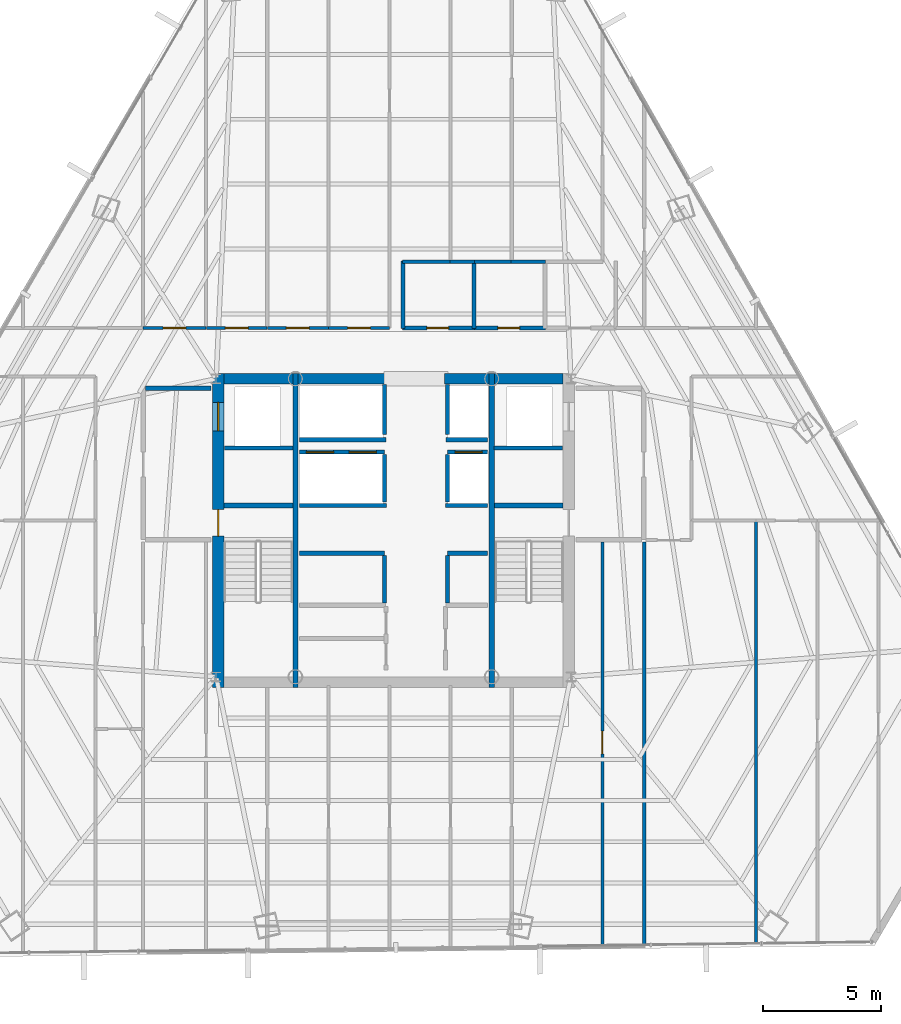
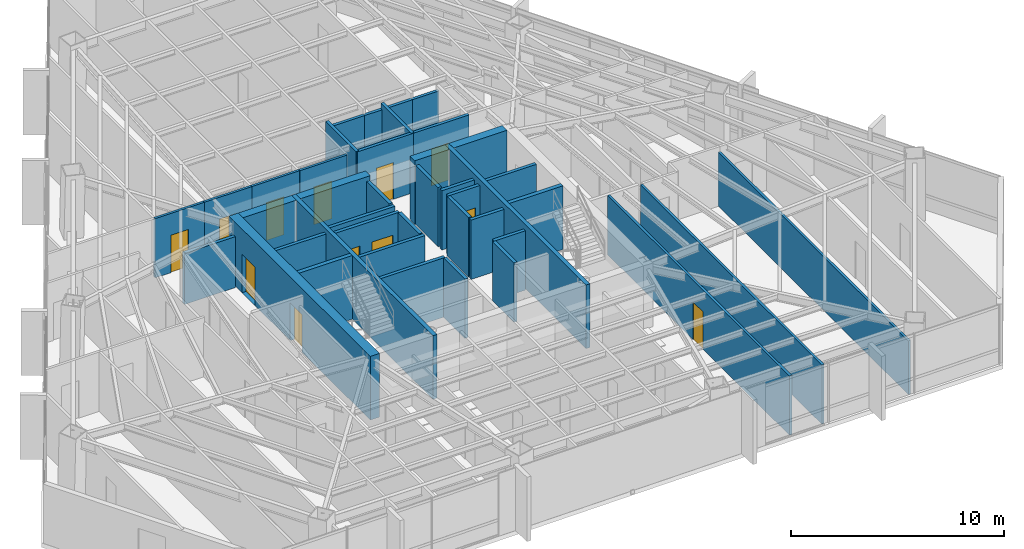
# One storey, part 37 of 42: 41 walls, 12 doors, 12 openings.
"""IFC4 building model written with IfcOpenShell, lengths in metres."""

from ifc_helpers import new_model, si_unit, direction, frame, frame_2d, origin, place, context, subcontext, project, spatial, rectangle, extrude, material, layer, layer_set, type_object, element, fill, save


model = new_model("IFC4")

# Units and contexts
model_context = context("Model", 3, precision=1e-05, world=origin(), true_north=direction((0.0, 1.0)))
body_context = subcontext(model_context, "Body", "Model", "MODEL_VIEW")
ifc_project = project(units=[si_unit("LENGTHUNIT", "METRE"), si_unit("AREAUNIT", "SQUARE_METRE"), si_unit("VOLUMEUNIT", "CUBIC_METRE"), si_unit("PLANEANGLEUNIT", "RADIAN"), si_unit("MASSUNIT", "GRAM", prefix="KILO")], contexts=[model_context])

# Site, building, storey
site_placement = place(None, origin())
site = spatial("IfcSite", under=ifc_project, at=site_placement, CompositionType="ELEMENT")
building_placement = place(site_placement, origin())
building = spatial("IfcBuilding", under=site, at=building_placement, Name="Caelisora Broadcast Tower", CompositionType="ELEMENT")
storey_placement = place(building_placement, frame((0.0, 0.0, 131.800048828125)))
storey = spatial("IfcBuildingStorey", under=building, at=storey_placement, Name="L34", CompositionType="ELEMENT", Elevation=131.800048828125)

# Wall, openings, doors
ifc_material_1 = material(Name="Concrete 50 MPa (AS 3600 S50)", Category="concrete")
ifc_layer_1 = layer(ifc_material_1, 0.5, Name="Concrete 50 MPa (AS 3600 S50)")
ifc_layer_set_1 = layer_set([ifc_layer_1], Name="Concrete 50 MPa (AS 3600 S50)")
wall_type_1 = type_object("IfcWallType", Name="CW2", PredefinedType="SHEAR", material=ifc_layer_set_1)
wall_1_placement = place(storey_placement, frame((30.590087890625, 16.949951171875, 0.0), z_axis=(0.0, 0.0, 1.0), x_axis=(0.0, 1.0, 0.0)))
wall_1 = element("IfcWall", 1, at=wall_1_placement, inside=storey, type_object=wall_type_1, Name="L34 core shear wall CW2", PredefinedType="SHEAR", context=body_context, shape_type="SweptSolid", body=[
    extrude(rectangle(XDim=13.275146484375, YDim=0.5, at=frame_2d((6.6376953125, 0.0))), origin(), (0.0, 0.0, 1.0), 3.64990234375),
])
opening_1_placement = place(wall_1_placement, frame((6.39990234375, 0.0, 0.0)))
opening_1 = element("IfcOpeningElement", 2, at=opening_1_placement, cuts=wall_1, Name="Opening FD04", PredefinedType="OPENING", context=body_context, shape_type="SweptSolid", body=[
    extrude(rectangle(XDim=1.1201171875, YDim=2.14990234375, at=frame_2d((0.56005859375, 1.074951171875))), frame((0.0, 0.261962890625, 0.0), z_axis=(0.0, -1.0, 0.0), x_axis=(1.0, 0.0, 0.0)), (0.0, 0.0, 1.0), 0.52392578125),
])
opening_2_placement = place(wall_1_placement, frame((10.85009765625, 0.0, 0.0)))
opening_2 = element("IfcOpeningElement", 3, at=opening_2_placement, cuts=wall_1, Name="Opening LD04", PredefinedType="OPENING", context=body_context, shape_type="SweptSolid", body=[
    extrude(rectangle(XDim=1.199951171875, YDim=2.199951171875, at=frame_2d((0.60009765625, 1.10009765625))), frame((0.0, 0.261962890625, 0.0), z_axis=(0.0, -1.0, 0.0), x_axis=(1.0, 0.0, 0.0)), (0.0, 0.0, 1.0), 0.52392578125),
])
ifc_material_2 = material(Name="Pressurised Fire-Isolated Stair Door", Category="steel")
door_type_1 = type_object("IfcDoorType", Name="FD04", OperationType="NOTDEFINED", PredefinedType="DOOR", material=ifc_material_2)
door_1_placement = place(opening_1_placement, origin())
door_1 = element("IfcDoor", 4, at=door_1_placement, inside=storey, type_object=door_type_1, Name="L34 door FD04 (L34-DR-ST1)", OperationType="SINGLE_SWING_LEFT", OverallHeight=2.14990234375, OverallWidth=1.1201171875, PredefinedType="DOOR", context=body_context, shape_type="SweptSolid", body=[
    extrude(rectangle(XDim=1.1201171875, YDim=2.14990234375, at=frame_2d((0.56005859375, 1.074951171875))), frame((0.0, 0.02490234375, 0.0), z_axis=(0.0, -1.0, 0.0), x_axis=(1.0, 0.0, 0.0)), (0.0, 0.0, 1.0), 0.050048828125),
])
fill(opening_1, door_1)
ifc_material_3 = material(Name="Emergency Firefighting Lift Sliding Landing Door", Category="steel")
door_type_2 = type_object("IfcDoorType", Name="LD04", OperationType="NOTDEFINED", PredefinedType="DOOR", material=ifc_material_3)
door_2_placement = place(opening_2_placement, origin())
door_2 = element("IfcDoor", 5, at=door_2_placement, inside=storey, type_object=door_type_2, Name="L34 door LD04 (L34-LD-FFL1)", OperationType="SLIDING_TO_LEFT", OverallHeight=2.199951171875, OverallWidth=1.199951171875, PredefinedType="DOOR", context=body_context, shape_type="SweptSolid", body=[
    extrude(rectangle(XDim=1.199951171875, YDim=2.199951171875, at=frame_2d((0.60009765625, 1.10009765625))), frame((0.0, 0.02490234375, 0.0), z_axis=(0.0, -1.0, 0.0), x_axis=(1.0, 0.0, 0.0)), (0.0, 0.0, 1.0), 0.050048828125),
])
fill(opening_2, door_2)

# Walls
ifc_layer_2 = layer(ifc_material_1, 0.449951171875, Name="Concrete 50 MPa (AS 3600 S50)")
ifc_layer_set_2 = layer_set([ifc_layer_2], Name="Concrete 50 MPa (AS 3600 S50)")
wall_type_2 = type_object("IfcWallType", Name="CW5", PredefinedType="SHEAR", material=ifc_layer_set_2)
wall_2_placement = place(storey_placement, frame((30.840087890625, 30.0, 0.0), z_axis=(0.0, 0.0, 1.0), x_axis=(1.0, 0.0, 0.0)))
element("IfcWall", 6, at=wall_2_placement, inside=storey, type_object=wall_type_2, Name="L34 core shear wall CW5", PredefinedType="SHEAR", context=body_context, shape_type="SweptSolid", body=[
    extrude(rectangle(XDim=2.89990234375, YDim=0.449951171875, at=frame_2d((1.449951171875, 0.0))), origin(), (0.0, 0.0, 1.0), 3.64990234375),
])
wall_3_placement = place(storey_placement, frame((33.9599609375, 30.0, 0.0), z_axis=(0.0, 0.0, 1.0), x_axis=(1.0, 0.0, 0.0)))
element("IfcWall", 7, at=wall_3_placement, inside=storey, type_object=wall_type_2, Name="L34 core shear wall CW5", PredefinedType="SHEAR", context=body_context, shape_type="SweptSolid", body=[
    extrude(rectangle(XDim=3.780029296875, YDim=0.449951171875, at=frame_2d((1.89013671875, 0.0))), origin(), (0.0, 0.0, 1.0), 3.64990234375),
])
wall_4_placement = place(storey_placement, frame((40.159912109375, 30.0, 0.0), z_axis=(0.0, 0.0, 1.0), x_axis=(1.0, 0.0, 0.0)))
element("IfcWall", 8, at=wall_4_placement, inside=storey, type_object=wall_type_2, Name="L34 core shear wall CW5", PredefinedType="SHEAR", context=body_context, shape_type="SweptSolid", body=[
    extrude(rectangle(XDim=1.880126953125, YDim=0.449951171875, at=frame_2d((0.93994140625, 0.0))), origin(), (0.0, 0.0, 1.0), 3.64990234375),
])
wall_5_placement = place(storey_placement, frame((42.260009765625, 30.0, 0.0), z_axis=(0.0, 0.0, 1.0), x_axis=(1.0, 0.0, 0.0)))
element("IfcWall", 9, at=wall_5_placement, inside=storey, type_object=wall_type_2, Name="L34 core shear wall CW5", PredefinedType="SHEAR", context=body_context, shape_type="SweptSolid", body=[
    extrude(rectangle(XDim=2.89990234375, YDim=0.449951171875, at=frame_2d((1.449951171875, 0.0))), origin(), (0.0, 0.0, 1.0), 3.64990234375),
])
ifc_layer_3 = layer(ifc_material_1, 0.219970703125, Name="Concrete 50 MPa (AS 3600 S50)")
ifc_layer_set_3 = layer_set([ifc_layer_3], Name="Concrete 50 MPa (AS 3600 S50)")
wall_type_3 = type_object("IfcWallType", Name="CW7", PredefinedType="SHEAR", material=ifc_layer_set_3)
for number, where, z_axis, x_axis, name in (
    (10, (33.85009765625, 16.949951171875, 0.0), (0.0, 0.0, 1.0), (0.0, 1.0, 0.0), "L34 core shear wall CW7"),
    (11, (42.14990234375, 16.949951171875, 0.0), (0.0, 0.0, 1.0), (0.0, 1.0, 0.0), "L34 core shear wall CW7"),
):
    element("IfcWall", number, at=place(storey_placement, frame(where, z_axis=z_axis, x_axis=x_axis)), inside=storey, type_object=wall_type_3, Name=name, PredefinedType="SHEAR", context=body_context, shape_type="SweptSolid", body=[
        extrude(rectangle(XDim=13.275146484375, YDim=0.219970703125, at=frame_2d((6.6376953125, 0.0))), origin(), (0.0, 0.0, 1.0), 3.64990234375),
    ])
for number, where, z_axis, x_axis, name in (
    (12, (30.840087890625, 24.639892578125, 0.0), (0.0, 0.0, 1.0), (1.0, 0.0, 0.0), "L34 core shear wall CW7"),
    (13, (42.260009765625, 24.639892578125, 0.0), (0.0, 0.0, 1.0), (1.0, 0.0, 0.0), "L34 core shear wall CW7"),
):
    element("IfcWall", number, at=place(storey_placement, frame(where, z_axis=z_axis, x_axis=x_axis)), inside=storey, type_object=wall_type_3, Name=name, PredefinedType="SHEAR", context=body_context, shape_type="SweptSolid", body=[
        extrude(rectangle(XDim=2.89990234375, YDim=0.219970703125, at=frame_2d((1.449951171875, 0.0))), origin(), (0.0, 0.0, 1.0), 3.64990234375),
    ])
ifc_material_4 = material(Name="Fire-Rated Gypsum Shaft and Compartment Wall", Category="gypsum")
ifc_layer_4 = layer(ifc_material_4, 0.179931640625, Name="Fire-Rated Gypsum Shaft and Compartment Wall")
ifc_layer_set_4 = layer_set([ifc_layer_4], Name="Fire-Rated Gypsum Shaft and Compartment Wall")
wall_type_4 = type_object("IfcWallType", Name="PW2", PredefinedType="PARTITIONING", material=ifc_layer_set_4)
wall_6_placement = place(storey_placement, frame((34.02001953125, 22.6201171875, 0.0), z_axis=(0.0, 0.0, 1.0), x_axis=(1.0, 0.0, 0.0)))
element("IfcWall", 14, at=wall_6_placement, inside=storey, type_object=wall_type_4, Name="L34 fire compartment wall PW2", PredefinedType="PARTITIONING", context=body_context, shape_type="SweptSolid", body=[
    extrude(rectangle(XDim=3.60009765625, YDim=0.179931640625, at=frame_2d((1.800048828125, 0.0))), origin(), (0.0, 0.0, 1.0), 3.39990234375),
])
wall_7_placement = place(storey_placement, frame((40.280029296875, 22.6201171875, 0.0), z_axis=(0.0, 0.0, 1.0), x_axis=(1.0, 0.0, 0.0)))
element("IfcWall", 15, at=wall_7_placement, inside=storey, type_object=wall_type_4, Name="L34 fire compartment wall PW2", PredefinedType="PARTITIONING", context=body_context, shape_type="SweptSolid", body=[
    extrude(rectangle(XDim=1.699951171875, YDim=0.179931640625, at=frame_2d((0.85009765625, 0.0))), origin(), (0.0, 0.0, 1.0), 3.39990234375),
])
for number, where, z_axis, x_axis, name in (
    (16, (37.6201171875, 20.52001953125, 0.0), (0.0, 0.0, 1.0), (0.0, 1.0, 0.0), "L34 fire compartment wall PW2"),
    (17, (40.280029296875, 20.52001953125, 0.0), (0.0, 0.0, 1.0), (0.0, 1.0, 0.0), "L34 fire compartment wall PW2"),
):
    element("IfcWall", number, at=place(storey_placement, frame(where, z_axis=z_axis, x_axis=x_axis)), inside=storey, type_object=wall_type_4, Name=name, PredefinedType="PARTITIONING", context=body_context, shape_type="SweptSolid", body=[
        extrude(rectangle(XDim=2.0, YDim=0.179931640625, at=frame_2d((1.0, 0.0))), origin(), (0.0, 0.0, 1.0), 3.39990234375),
    ])

# Wall, openings, doors
wall_8_placement = place(storey_placement, frame((34.02001953125, 26.89990234375, 0.0), z_axis=(0.0, 0.0, 1.0), x_axis=(1.0, 0.0, 0.0)))
wall_8 = element("IfcWall", 18, at=wall_8_placement, inside=storey, type_object=wall_type_4, Name="L34 fire compartment wall PW2", PredefinedType="PARTITIONING", context=body_context, shape_type="SweptSolid", body=[
    extrude(rectangle(XDim=3.60009765625, YDim=0.179931640625, at=frame_2d((1.800048828125, 0.0))), origin(), (0.0, 0.0, 1.0), 3.39990234375),
])
opening_3_placement = place(wall_8_placement, frame((0.300048828125, 0.0, 0.0)))
opening_3 = element("IfcOpeningElement", 19, at=opening_3_placement, cuts=wall_8, Name="Opening LD02", PredefinedType="OPENING", context=body_context, shape_type="SweptSolid", body=[
    extrude(rectangle(XDim=1.14990234375, YDim=2.199951171875, at=frame_2d((0.574951171875, 1.10009765625))), frame((0.0, 0.10205078125, 0.0), z_axis=(0.0, -1.0, 0.0), x_axis=(1.0, 0.0, 0.0)), (0.0, 0.0, 1.0), 0.203857421875),
])
opening_4_placement = place(wall_8_placement, frame((2.10009765625, 0.0, 0.0)))
opening_4 = element("IfcOpeningElement", 20, at=opening_4_placement, cuts=wall_8, Name="Opening LD02", PredefinedType="OPENING", context=body_context, shape_type="SweptSolid", body=[
    extrude(rectangle(XDim=1.14990234375, YDim=2.199951171875, at=frame_2d((0.574951171875, 1.10009765625))), frame((0.0, 0.10205078125, 0.0), z_axis=(0.0, -1.0, 0.0), x_axis=(1.0, 0.0, 0.0)), (0.0, 0.0, 1.0), 0.203857421875),
])
ifc_material_5 = material(Name="High-Speed Express Lift Sliding Landing Door", Category="steel")
door_type_3 = type_object("IfcDoorType", Name="LD02", OperationType="NOTDEFINED", PredefinedType="DOOR", material=ifc_material_5)
door_3_placement = place(opening_3_placement, origin())
door_3 = element("IfcDoor", 21, at=door_3_placement, inside=storey, type_object=door_type_3, Name="L34 door LD02 (L34-LD-PLM1)", OperationType="SLIDING_TO_LEFT", OverallHeight=2.199951171875, OverallWidth=1.14990234375, PredefinedType="DOOR", context=body_context, shape_type="SweptSolid", body=[
    extrude(rectangle(XDim=1.14990234375, YDim=2.199951171875, at=frame_2d((0.574951171875, 1.10009765625))), frame((0.0, 0.02490234375, 0.0), z_axis=(0.0, -1.0, 0.0), x_axis=(1.0, 0.0, 0.0)), (0.0, 0.0, 1.0), 0.050048828125),
])
fill(opening_3, door_3)
door_4_placement = place(opening_4_placement, origin())
door_4 = element("IfcDoor", 22, at=door_4_placement, inside=storey, type_object=door_type_3, Name="L34 door LD02 (L34-LD-PLM2)", OperationType="SLIDING_TO_RIGHT", OverallHeight=2.199951171875, OverallWidth=1.14990234375, PredefinedType="DOOR", context=body_context, shape_type="SweptSolid", body=[
    extrude(rectangle(XDim=1.14990234375, YDim=2.199951171875, at=frame_2d((0.574951171875, 1.10009765625))), frame((0.0, 0.02490234375, 0.0), z_axis=(0.0, -1.0, 0.0), x_axis=(1.0, 0.0, 0.0)), (0.0, 0.0, 1.0), 0.050048828125),
])
fill(opening_4, door_4)

# Wall, opening, door
wall_9_placement = place(storey_placement, frame((40.280029296875, 26.89990234375, 0.0), z_axis=(0.0, 0.0, 1.0), x_axis=(1.0, 0.0, 0.0)))
wall_9 = element("IfcWall", 23, at=wall_9_placement, inside=storey, type_object=wall_type_4, Name="L34 fire compartment wall PW2", PredefinedType="PARTITIONING", context=body_context, shape_type="SweptSolid", body=[
    extrude(rectangle(XDim=1.699951171875, YDim=0.179931640625, at=frame_2d((0.85009765625, 0.0))), origin(), (0.0, 0.0, 1.0), 3.39990234375),
])
opening_5_placement = place(wall_9_placement, frame((0.320068359375, 0.0, 0.0)))
opening_5 = element("IfcOpeningElement", 24, at=opening_5_placement, cuts=wall_9, Name="Opening LD02", PredefinedType="OPENING", context=body_context, shape_type="SweptSolid", body=[
    extrude(rectangle(XDim=1.14990234375, YDim=2.199951171875, at=frame_2d((0.574951171875, 1.10009765625))), frame((0.0, 0.10205078125, 0.0), z_axis=(0.0, -1.0, 0.0), x_axis=(1.0, 0.0, 0.0)), (0.0, 0.0, 1.0), 0.203857421875),
])
door_5_placement = place(opening_5_placement, origin())
door_5 = element("IfcDoor", 25, at=door_5_placement, inside=storey, type_object=door_type_3, Name="L34 door LD02 (L34-LD-PLM3)", OperationType="SLIDING_TO_LEFT", OverallHeight=2.199951171875, OverallWidth=1.14990234375, PredefinedType="DOOR", context=body_context, shape_type="SweptSolid", body=[
    extrude(rectangle(XDim=1.14990234375, YDim=2.199951171875, at=frame_2d((0.574951171875, 1.10009765625))), frame((0.0, 0.02490234375, 0.0), z_axis=(0.0, -1.0, 0.0), x_axis=(1.0, 0.0, 0.0)), (0.0, 0.0, 1.0), 0.050048828125),
])
fill(opening_5, door_5)

# Walls
for number, where, z_axis, x_axis, name in (
    (26, (37.6201171875, 24.800048828125, 0.0), (0.0, 0.0, 1.0), (0.0, 1.0, 0.0), "L34 fire compartment wall PW2"),
    (27, (40.280029296875, 24.800048828125, 0.0), (0.0, 0.0, 1.0), (0.0, 1.0, 0.0), "L34 fire compartment wall PW2"),
):
    element("IfcWall", number, at=place(storey_placement, frame(where, z_axis=z_axis, x_axis=x_axis)), inside=storey, type_object=wall_type_4, Name=name, PredefinedType="PARTITIONING", context=body_context, shape_type="SweptSolid", body=[
        extrude(rectangle(XDim=2.0, YDim=0.179931640625, at=frame_2d((1.0, 0.0))), origin(), (0.0, 0.0, 1.0), 3.39990234375),
    ])
wall_10_placement = place(storey_placement, frame((34.02001953125, 24.639892578125, 0.0), z_axis=(0.0, 0.0, 1.0), x_axis=(1.0, 0.0, 0.0)))
element("IfcWall", 28, at=wall_10_placement, inside=storey, type_object=wall_type_4, Name="L34 fire compartment wall PW2", PredefinedType="PARTITIONING", context=body_context, shape_type="SweptSolid", body=[
    extrude(rectangle(XDim=3.679931640625, YDim=0.179931640625, at=frame_2d((1.83984375, 0.0))), origin(), (0.0, 0.0, 1.0), 3.39990234375),
])
wall_11_placement = place(storey_placement, frame((40.199951171875, 24.639892578125, 0.0), z_axis=(0.0, 0.0, 1.0), x_axis=(1.0, 0.0, 0.0)))
element("IfcWall", 29, at=wall_11_placement, inside=storey, type_object=wall_type_4, Name="L34 fire compartment wall PW2", PredefinedType="PARTITIONING", context=body_context, shape_type="SweptSolid", body=[
    extrude(rectangle(XDim=1.780029296875, YDim=0.179931640625, at=frame_2d((0.89013671875, 0.0))), origin(), (0.0, 0.0, 1.0), 3.39990234375),
])
wall_12_placement = place(storey_placement, frame((34.02001953125, 27.419921875, 0.0), z_axis=(0.0, 0.0, 1.0), x_axis=(1.0, 0.0, 0.0)))
element("IfcWall", 30, at=wall_12_placement, inside=storey, type_object=wall_type_4, Name="L34 fire compartment wall PW2", PredefinedType="PARTITIONING", context=body_context, shape_type="SweptSolid", body=[
    extrude(rectangle(XDim=3.659912109375, YDim=0.179931640625, at=frame_2d((1.830078125, 0.0))), origin(), (0.0, 0.0, 1.0), 3.39990234375),
])
wall_13_placement = place(storey_placement, frame((40.219970703125, 27.419921875, 0.0), z_axis=(0.0, 0.0, 1.0), x_axis=(1.0, 0.0, 0.0)))
element("IfcWall", 31, at=wall_13_placement, inside=storey, type_object=wall_type_4, Name="L34 fire compartment wall PW2", PredefinedType="PARTITIONING", context=body_context, shape_type="SweptSolid", body=[
    extrude(rectangle(XDim=1.760009765625, YDim=0.179931640625, at=frame_2d((0.8798828125, 0.0))), origin(), (0.0, 0.0, 1.0), 3.39990234375),
])
for number, where, z_axis, x_axis, name in (
    (32, (37.6201171875, 27.639892578125, 0.0), (0.0, 0.0, 1.0), (0.0, 1.0, 0.0), "L34 fire compartment wall PW2"),
    (33, (40.280029296875, 27.639892578125, 0.0), (0.0, 0.0, 1.0), (0.0, 1.0, 0.0), "L34 fire compartment wall PW2"),
):
    element("IfcWall", number, at=place(storey_placement, frame(where, z_axis=z_axis, x_axis=x_axis)), inside=storey, type_object=wall_type_4, Name=name, PredefinedType="PARTITIONING", context=body_context, shape_type="SweptSolid", body=[
        extrude(rectangle(XDim=2.110107421875, YDim=0.179931640625, at=frame_2d((1.05517578125, 0.0))), origin(), (0.0, 0.0, 1.0), 3.39990234375),
    ])
wall_14_placement = place(storey_placement, frame((27.52001953125, 29.60009765625, 0.0), z_axis=(0.0, 0.0, 1.0), x_axis=(1.0, 0.0, 0.0)))
element("IfcWall", 34, at=wall_14_placement, inside=storey, type_object=wall_type_4, Name="L34 fire compartment wall PW2", PredefinedType="PARTITIONING", context=body_context, shape_type="SweptSolid", body=[
    extrude(rectangle(XDim=2.760009765625, YDim=0.179931640625, at=frame_2d((1.3798828125, 0.0))), origin(), (0.0, 0.0, 1.0), 2.924560546875),
])
for number, where, z_axis, x_axis, name in (
    (35, (30.860107421875, 27.070068359375, 0.0), (0.0, 0.0, 1.0), (1.0, 0.0, 0.0), "L34 fire compartment wall PW2"),
    (36, (42.239990234375, 27.070068359375, 0.0), (0.0, 0.0, 1.0), (1.0, 0.0, 0.0), "L34 fire compartment wall PW2"),
):
    element("IfcWall", number, at=place(storey_placement, frame(where, z_axis=z_axis, x_axis=x_axis)), inside=storey, type_object=wall_type_4, Name=name, PredefinedType="PARTITIONING", context=body_context, shape_type="SweptSolid", body=[
        extrude(rectangle(XDim=2.89990234375, YDim=0.179931640625, at=frame_2d((1.449951171875, 0.0))), origin(), (0.0, 0.0, 1.0), 3.39990234375),
    ])
ifc_material_6 = material(Name="Acoustic Steel-Stud Plasterboard Partition", Category="gypsum")
ifc_layer_5 = layer(ifc_material_6, 0.1298828125, Name="Acoustic Steel-Stud Plasterboard Partition")
ifc_layer_set_5 = layer_set([ifc_layer_5], Name="Acoustic Steel-Stud Plasterboard Partition")
wall_type_5 = type_object("IfcWallType", Name="PW3", PredefinedType="PARTITIONING", material=ifc_layer_set_5)
wall_15_placement = place(storey_placement, frame((53.330078125, 6.1181640625, 0.0), z_axis=(0.0, 0.0, 1.0), x_axis=(0.0, 1.0, 0.0)))
element("IfcWall", 37, at=wall_15_placement, inside=storey, type_object=wall_type_5, Name="L34 internal partition PW3", PredefinedType="PARTITIONING", context=body_context, shape_type="SweptSolid", body=[
    extrude(rectangle(XDim=17.876953125, YDim=0.1298828125, at=frame_2d((8.9384765625, 0.0))), origin(), (0.0, 0.0, 1.0), 3.07763671875),
])

# Wall, opening, door
wall_16_placement = place(storey_placement, frame((46.830078125, 6.03662109375, 0.0), z_axis=(0.0, 0.0, 1.0), x_axis=(0.0, 1.0, 0.0)))
wall_16 = element("IfcWall", 38, at=wall_16_placement, inside=storey, type_object=wall_type_5, Name="L34 internal partition PW3", PredefinedType="PARTITIONING", context=body_context, shape_type="SweptSolid", body=[
    extrude(rectangle(XDim=17.068359375, YDim=0.1298828125, at=frame_2d((8.5341796875, 0.0))), origin(), (0.0, 0.0, 1.0), 3.39990234375),
])
opening_6_placement = place(wall_16_placement, frame((8.10205078125, 0.0, 0.0)))
opening_6 = element("IfcOpeningElement", 39, at=opening_6_placement, cuts=wall_16, Name="Opening D01", PredefinedType="OPENING", context=body_context, shape_type="SweptSolid", body=[
    extrude(rectangle(XDim=0.9599609375, YDim=2.14990234375, at=frame_2d((0.47998046875, 1.074951171875))), frame((0.0, 0.076904296875, 0.0), z_axis=(0.0, -1.0, 0.0), x_axis=(1.0, 0.0, 0.0)), (0.0, 0.0, 1.0), 0.15380859375),
])
ifc_material_7 = material(Name="Solid-Core Timber Acoustic Office Door", Category="wood")
door_type_4 = type_object("IfcDoorType", Name="D01", OperationType="NOTDEFINED", PredefinedType="DOOR", material=ifc_material_7)
door_6_placement = place(opening_6_placement, origin())
door_6 = element("IfcDoor", 40, at=door_6_placement, inside=storey, type_object=door_type_4, Name="L34 door D01 (L34-DR-P36D1)", OperationType="SINGLE_SWING_RIGHT", OverallHeight=2.14990234375, OverallWidth=0.9599609375, PredefinedType="DOOR", context=body_context, shape_type="SweptSolid", body=[
    extrude(rectangle(XDim=0.9599609375, YDim=2.14990234375, at=frame_2d((0.47998046875, 1.074951171875))), frame((0.0, 0.02490234375, 0.0), z_axis=(0.0, -1.0, 0.0), x_axis=(1.0, 0.0, 0.0)), (0.0, 0.0, 1.0), 0.050048828125),
])
fill(opening_6, door_6)

# Wall
wall_17_placement = place(storey_placement, frame((48.60009765625, 6.058837890625, 0.0), z_axis=(0.0, 0.0, 1.0), x_axis=(0.0, 1.0, 0.0)))
element("IfcWall", 41, at=wall_17_placement, inside=storey, type_object=wall_type_5, Name="L34 internal partition PW3", PredefinedType="PARTITIONING", context=body_context, shape_type="SweptSolid", body=[
    extrude(rectangle(XDim=17.046142578125, YDim=0.1298828125, at=frame_2d((8.52294921875, 0.0))), origin(), (0.0, 0.0, 1.0), 3.39990234375),
])

# Wall, opening, door
wall_18_placement = place(storey_placement, frame((27.405029296875, 32.14990234375, 0.0), z_axis=(0.0, 0.0, 1.0), x_axis=(1.0, 0.0, 0.0)))
wall_18 = element("IfcWall", 42, at=wall_18_placement, inside=storey, type_object=wall_type_5, Name="L34 internal partition PW3", PredefinedType="PARTITIONING", context=body_context, shape_type="SweptSolid", body=[
    extrude(rectangle(XDim=2.669921875, YDim=0.1298828125, at=frame_2d((1.3349609375, 0.0))), origin(), (0.0, 0.0, 1.0), 3.39990234375),
])
opening_7_placement = place(wall_18_placement, frame((0.85498046875, 0.0, 0.0)))
opening_7 = element("IfcOpeningElement", 43, at=opening_7_placement, cuts=wall_18, Name="Opening D01", PredefinedType="OPENING", context=body_context, shape_type="SweptSolid", body=[
    extrude(rectangle(XDim=0.9599609375, YDim=2.14990234375, at=frame_2d((0.47998046875, 1.074951171875))), frame((0.0, 0.076904296875, 0.0), z_axis=(0.0, -1.0, 0.0), x_axis=(1.0, 0.0, 0.0)), (0.0, 0.0, 1.0), 0.15380859375),
])
door_7_placement = place(opening_7_placement, origin())
door_7 = element("IfcDoor", 44, at=door_7_placement, inside=storey, type_object=door_type_4, Name="L34 door D01 (L34-DR-P65D1)", OperationType="SINGLE_SWING_RIGHT", OverallHeight=2.14990234375, OverallWidth=0.9599609375, PredefinedType="DOOR", context=body_context, shape_type="SweptSolid", body=[
    extrude(rectangle(XDim=0.9599609375, YDim=2.14990234375, at=frame_2d((0.47998046875, 1.074951171875))), frame((0.0, 0.02490234375, 0.0), z_axis=(0.0, -1.0, 0.0), x_axis=(1.0, 0.0, 0.0)), (0.0, 0.0, 1.0), 0.050048828125),
])
fill(opening_7, door_7)

wall_19_placement = place(storey_placement, frame((32.6650390625, 32.14990234375, 0.0), z_axis=(0.0, 0.0, 1.0), x_axis=(1.0, 0.0, 0.0)))
wall_19 = element("IfcWall", 45, at=wall_19_placement, inside=storey, type_object=wall_type_5, Name="L34 internal partition PW3", PredefinedType="PARTITIONING", context=body_context, shape_type="SweptSolid", body=[
    extrude(rectangle(XDim=2.580078125, YDim=0.1298828125, at=frame_2d((1.2900390625, 0.0))), origin(), (0.0, 0.0, 1.0), 3.39990234375),
])
opening_8_placement = place(wall_19_placement, frame((0.81005859375, 0.0, 0.0)))
opening_8 = element("IfcOpeningElement", 46, at=opening_8_placement, cuts=wall_19, Name="Opening D01", PredefinedType="OPENING", context=body_context, shape_type="SweptSolid", body=[
    extrude(rectangle(XDim=0.9599609375, YDim=2.14990234375, at=frame_2d((0.47998046875, 1.074951171875))), frame((0.0, 0.076904296875, 0.0), z_axis=(0.0, -1.0, 0.0), x_axis=(1.0, 0.0, 0.0)), (0.0, 0.0, 1.0), 0.15380859375),
])
door_8_placement = place(opening_8_placement, origin())
door_8 = element("IfcDoor", 47, at=door_8_placement, inside=storey, type_object=door_type_4, Name="L34 door D01 (L34-DR-P66D1)", OperationType="SINGLE_SWING_LEFT", OverallHeight=2.14990234375, OverallWidth=0.9599609375, PredefinedType="DOOR", context=body_context, shape_type="SweptSolid", body=[
    extrude(rectangle(XDim=0.9599609375, YDim=2.14990234375, at=frame_2d((0.47998046875, 1.074951171875))), frame((0.0, 0.02490234375, 0.0), z_axis=(0.0, -1.0, 0.0), x_axis=(1.0, 0.0, 0.0)), (0.0, 0.0, 1.0), 0.050048828125),
])
fill(opening_8, door_8)

wall_20_placement = place(storey_placement, frame((30.0849609375, 32.14990234375, 0.0), z_axis=(0.0, 0.0, 1.0), x_axis=(1.0, 0.0, 0.0)))
wall_20 = element("IfcWall", 48, at=wall_20_placement, inside=storey, type_object=wall_type_5, Name="L34 internal partition PW3", PredefinedType="PARTITIONING", context=body_context, shape_type="SweptSolid", body=[
    extrude(rectangle(XDim=2.570068359375, YDim=0.1298828125, at=frame_2d((1.28515625, 0.0))), origin(), (0.0, 0.0, 1.0), 3.39990234375),
])
opening_9_placement = place(wall_20_placement, frame((0.804931640625, 0.0, 0.0)))
opening_9 = element("IfcOpeningElement", 49, at=opening_9_placement, cuts=wall_20, Name="Opening D01", PredefinedType="OPENING", context=body_context, shape_type="SweptSolid", body=[
    extrude(rectangle(XDim=0.9599609375, YDim=2.14990234375, at=frame_2d((0.47998046875, 1.074951171875))), frame((0.0, 0.076904296875, 0.0), z_axis=(0.0, -1.0, 0.0), x_axis=(1.0, 0.0, 0.0)), (0.0, 0.0, 1.0), 0.15380859375),
])
door_9_placement = place(opening_9_placement, origin())
door_9 = element("IfcDoor", 50, at=door_9_placement, inside=storey, type_object=door_type_4, Name="L34 door D01 (L34-DR-P69D1)", OperationType="SINGLE_SWING_RIGHT", OverallHeight=2.14990234375, OverallWidth=0.9599609375, PredefinedType="DOOR", context=body_context, shape_type="SweptSolid", body=[
    extrude(rectangle(XDim=0.9599609375, YDim=2.14990234375, at=frame_2d((0.47998046875, 1.074951171875))), frame((0.0, 0.02490234375, 0.0), z_axis=(0.0, -1.0, 0.0), x_axis=(1.0, 0.0, 0.0)), (0.0, 0.0, 1.0), 0.050048828125),
])
fill(opening_9, door_9)

wall_21_placement = place(storey_placement, frame((35.2548828125, 32.14990234375, 0.0), z_axis=(0.0, 0.0, 1.0), x_axis=(1.0, 0.0, 0.0)))
wall_21 = element("IfcWall", 51, at=wall_21_placement, inside=storey, type_object=wall_type_5, Name="L34 internal partition PW3", PredefinedType="PARTITIONING", context=body_context, shape_type="SweptSolid", body=[
    extrude(rectangle(XDim=2.570068359375, YDim=0.1298828125, at=frame_2d((1.28515625, 0.0))), origin(), (0.0, 0.0, 1.0), 3.39990234375),
])
opening_10_placement = place(wall_21_placement, frame((0.804931640625, 0.0, 0.0)))
opening_10 = element("IfcOpeningElement", 52, at=opening_10_placement, cuts=wall_21, Name="Opening D01", PredefinedType="OPENING", context=body_context, shape_type="SweptSolid", body=[
    extrude(rectangle(XDim=0.9599609375, YDim=2.14990234375, at=frame_2d((0.47998046875, 1.074951171875))), frame((0.0, 0.076904296875, 0.0), z_axis=(0.0, -1.0, 0.0), x_axis=(1.0, 0.0, 0.0)), (0.0, 0.0, 1.0), 0.15380859375),
])
door_10_placement = place(opening_10_placement, origin())
door_10 = element("IfcDoor", 53, at=door_10_placement, inside=storey, type_object=door_type_4, Name="L34 door D01 (L34-DR-P70D1)", OperationType="SINGLE_SWING_LEFT", OverallHeight=2.14990234375, OverallWidth=0.9599609375, PredefinedType="DOOR", context=body_context, shape_type="SweptSolid", body=[
    extrude(rectangle(XDim=0.9599609375, YDim=2.14990234375, at=frame_2d((0.47998046875, 1.074951171875))), frame((0.0, 0.02490234375, 0.0), z_axis=(0.0, -1.0, 0.0), x_axis=(1.0, 0.0, 0.0)), (0.0, 0.0, 1.0), 0.050048828125),
])
fill(opening_10, door_10)

ifc_material_8 = material(Name="Moisture-Resistant Wet Plumbing Service Wall", Category="gypsum")
ifc_layer_6 = layer(ifc_material_8, 0.159912109375, Name="Moisture-Resistant Wet Plumbing Service Wall")
ifc_layer_set_6 = layer_set([ifc_layer_6], Name="Moisture-Resistant Wet Plumbing Service Wall")
wall_type_6 = type_object("IfcWallType", Name="PW4", PredefinedType="PLUMBINGWALL", material=ifc_layer_set_6)
wall_22_placement = place(storey_placement, frame((38.375, 32.14990234375, 0.0), z_axis=(0.0, 0.0, 1.0), x_axis=(1.0, 0.0, 0.0)))
wall_22 = element("IfcWall", 54, at=wall_22_placement, inside=storey, type_object=wall_type_6, Name="L34 wet plumbing wall PW4", PredefinedType="PLUMBINGWALL", context=body_context, shape_type="SweptSolid", body=[
    extrude(rectangle(XDim=3.050048828125, YDim=0.159912109375, at=frame_2d((1.52490234375, 0.0))), origin(), (0.0, 0.0, 1.0), 3.39990234375),
])
opening_11_placement = place(wall_22_placement, frame((1.034912109375, 0.0, 0.0)))
opening_11 = element("IfcOpeningElement", 55, at=opening_11_placement, cuts=wall_22, Name="Opening D03", PredefinedType="OPENING", context=body_context, shape_type="SweptSolid", body=[
    extrude(rectangle(XDim=0.919921875, YDim=2.10009765625, at=frame_2d((0.4599609375, 1.050048828125))), frame((0.0, 0.092041015625, 0.0), z_axis=(0.0, -1.0, 0.0), x_axis=(1.0, 0.0, 0.0)), (0.0, 0.0, 1.0), 0.183837890625),
])
ifc_material_9 = material(Name="Laminate Moisture-Resistant Amenity WC Door", Category="wood")
door_type_5 = type_object("IfcDoorType", Name="D03", OperationType="NOTDEFINED", PredefinedType="DOOR", material=ifc_material_9)
door_11_placement = place(opening_11_placement, origin())
door_11 = element("IfcDoor", 56, at=door_11_placement, inside=storey, type_object=door_type_5, Name="L34 door D03 (L34-DR-P14D1)", OperationType="SINGLE_SWING_LEFT", OverallHeight=2.10009765625, OverallWidth=0.919921875, PredefinedType="DOOR", context=body_context, shape_type="SweptSolid", body=[
    extrude(rectangle(XDim=0.919921875, YDim=2.10009765625, at=frame_2d((0.4599609375, 1.050048828125))), frame((0.0, 0.02490234375, 0.0), z_axis=(0.0, -1.0, 0.0), x_axis=(1.0, 0.0, 0.0)), (0.0, 0.0, 1.0), 0.050048828125),
])
fill(opening_11, door_11)

wall_23_placement = place(storey_placement, frame((41.375, 32.14990234375, 0.0), z_axis=(0.0, 0.0, 1.0), x_axis=(1.0, 0.0, 0.0)))
wall_23 = element("IfcWall", 57, at=wall_23_placement, inside=storey, type_object=wall_type_6, Name="L34 wet plumbing wall PW4", PredefinedType="PLUMBINGWALL", context=body_context, shape_type="SweptSolid", body=[
    extrude(rectangle(XDim=3.050048828125, YDim=0.159912109375, at=frame_2d((1.52490234375, 0.0))), origin(), (0.0, 0.0, 1.0), 3.39990234375),
])
opening_12_placement = place(wall_23_placement, frame((1.034912109375, 0.0, 0.0)))
opening_12 = element("IfcOpeningElement", 58, at=opening_12_placement, cuts=wall_23, Name="Opening D03", PredefinedType="OPENING", context=body_context, shape_type="SweptSolid", body=[
    extrude(rectangle(XDim=0.919921875, YDim=2.10009765625, at=frame_2d((0.4599609375, 1.050048828125))), frame((0.0, 0.092041015625, 0.0), z_axis=(0.0, -1.0, 0.0), x_axis=(1.0, 0.0, 0.0)), (0.0, 0.0, 1.0), 0.183837890625),
])
door_12_placement = place(opening_12_placement, origin())
door_12 = element("IfcDoor", 59, at=door_12_placement, inside=storey, type_object=door_type_5, Name="L34 door D03 (L34-DR-P15D1)", OperationType="SINGLE_SWING_RIGHT", OverallHeight=2.10009765625, OverallWidth=0.919921875, PredefinedType="DOOR", context=body_context, shape_type="SweptSolid", body=[
    extrude(rectangle(XDim=0.919921875, YDim=2.10009765625, at=frame_2d((0.4599609375, 1.050048828125))), frame((0.0, 0.02490234375, 0.0), z_axis=(0.0, -1.0, 0.0), x_axis=(1.0, 0.0, 0.0)), (0.0, 0.0, 1.0), 0.050048828125),
])
fill(opening_12, door_12)

# Walls
for number, where, z_axis, x_axis, name in (
    (60, (41.39990234375, 32.125, 0.0), (0.0, 0.0, 1.0), (0.0, 1.0, 0.0), "L34 wet plumbing wall PW4"),
    (61, (38.39990234375, 32.125, 0.0), (0.0, 0.0, 1.0), (0.0, 1.0, 0.0), "L34 wet plumbing wall PW4"),
):
    element("IfcWall", number, at=place(storey_placement, frame(where, z_axis=z_axis, x_axis=x_axis)), inside=storey, type_object=wall_type_6, Name=name, PredefinedType="PLUMBINGWALL", context=body_context, shape_type="SweptSolid", body=[
        extrude(rectangle(XDim=2.85009765625, YDim=0.159912109375, at=frame_2d((1.425048828125, 0.0))), origin(), (0.0, 0.0, 1.0), 3.39990234375),
    ])
wall_24_placement = place(storey_placement, frame((38.375, 34.949951171875, 0.0), z_axis=(0.0, 0.0, 1.0), x_axis=(1.0, 0.0, 0.0)))
element("IfcWall", 62, at=wall_24_placement, inside=storey, type_object=wall_type_6, Name="L34 wet plumbing wall PW4", PredefinedType="PLUMBINGWALL", context=body_context, shape_type="SweptSolid", body=[
    extrude(rectangle(XDim=2.06005859375, YDim=0.159912109375, at=frame_2d((1.030029296875, 0.0))), origin(), (0.0, 0.0, 1.0), 3.07763671875),
])
wall_25_placement = place(storey_placement, frame((41.375, 34.949951171875, 0.0), z_axis=(0.0, 0.0, 1.0), x_axis=(1.0, 0.0, 0.0)))
element("IfcWall", 63, at=wall_25_placement, inside=storey, type_object=wall_type_6, Name="L34 wet plumbing wall PW4", PredefinedType="PLUMBINGWALL", context=body_context, shape_type="SweptSolid", body=[
    extrude(rectangle(XDim=1.64990234375, YDim=0.159912109375, at=frame_2d((0.824951171875, 0.0))), origin(), (0.0, 0.0, 1.0), 3.07763671875),
])
wall_26_placement = place(storey_placement, frame((42.97509765625, 34.949951171875, 0.0), z_axis=(0.0, 0.0, 1.0), x_axis=(1.0, 0.0, 0.0)))
element("IfcWall", 64, at=wall_26_placement, inside=storey, type_object=wall_type_6, Name="L34 wet plumbing wall PW4", PredefinedType="PLUMBINGWALL", context=body_context, shape_type="SweptSolid", body=[
    extrude(rectangle(XDim=1.449951171875, YDim=0.159912109375, at=frame_2d((0.72509765625, 0.0))), origin(), (0.0, 0.0, 1.0), 3.07763671875),
])
wall_27_placement = place(storey_placement, frame((40.385009765625, 34.949951171875, 0.0), z_axis=(0.0, 0.0, 1.0), x_axis=(1.0, 0.0, 0.0)))
element("IfcWall", 65, at=wall_27_placement, inside=storey, type_object=wall_type_6, Name="L34 wet plumbing wall PW4", PredefinedType="PLUMBINGWALL", context=body_context, shape_type="SweptSolid", body=[
    extrude(rectangle(XDim=1.0400390625, YDim=0.159912109375, at=frame_2d((0.52001953125, 0.0))), origin(), (0.0, 0.0, 1.0), 3.07763671875),
])

save(model, "model.ifc")
